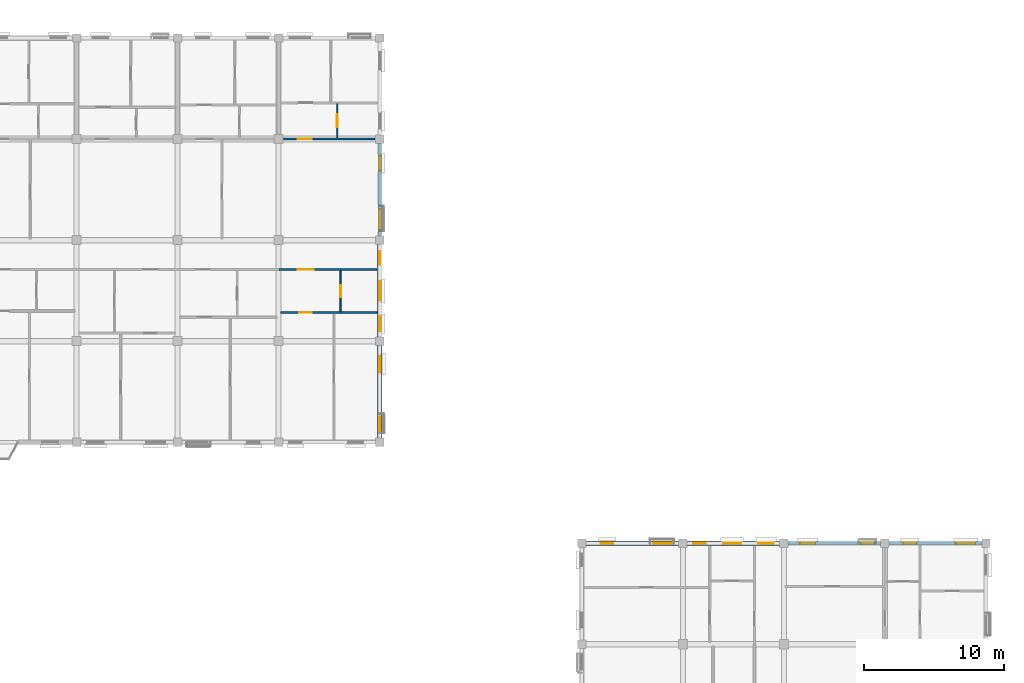
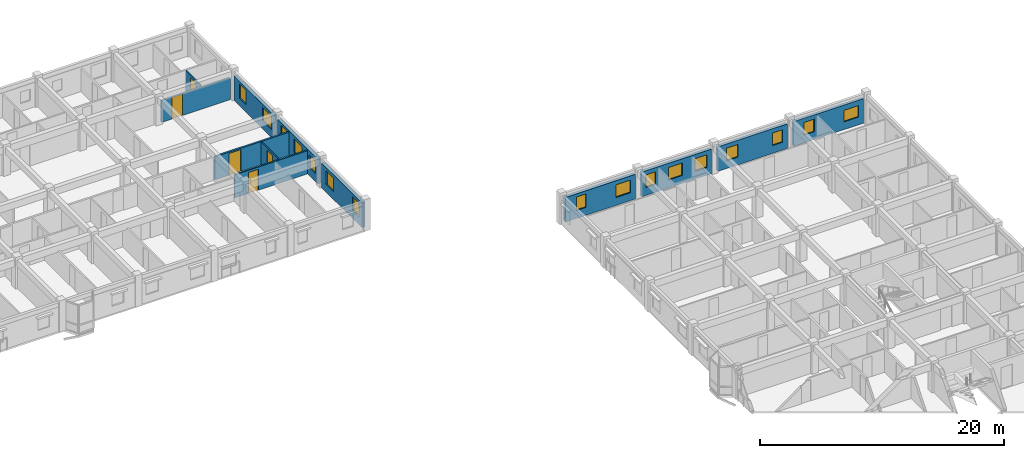
# One storey, part 112 of 124: 16 windows, 12 walls, 5 doors, 21 openings.
"""IFC4 building model written with IfcOpenShell, lengths in metres."""

import ifcopenshell
import ifcopenshell.guid

model = None  # the IFC model being written
_history = None  # IfcOwnerHistory: only IFC2X3 demands one
_inside = {}  # id of a spatial element -> (the spatial element, [elements in it])
_under = {}  # id of a project, library or spatial element -> (it, [spatial elements below it])
_declared = {}  # id of a project -> (the project, [libraries it declares])
_typed = {}  # id of a type object -> (the type object, [elements of that type])
_made_of = {}  # id of a material, layer set ... -> (it, [elements and type objects made of it])


def new_model(schema):
    """Start an empty IFC model of exactly this schema.

    Asked for "IFC4X3", IfcOpenShell would pick the latest addendum, in which some entities
    have other attributes; the version numbers below select the first issue.
    IFC2X3 requires an IfcOwnerHistory on every rooted entity: one is made here for all.
    """
    global model, _history
    if schema == "IFC4X3":
        model = ifcopenshell.file(schema_version=(4, 3, 0, 0))
    else:
        model = ifcopenshell.file(schema=schema)
    _inside.clear()
    _under.clear()
    _declared.clear()
    _typed.clear()
    _made_of.clear()
    _history = None
    if model.schema == "IFC2X3":
        org = make("IfcOrganization", Name="unknown")
        user = make(
            "IfcPersonAndOrganization",
            ThePerson=make("IfcPerson", FamilyName="unknown"),
            TheOrganization=org,
        )
        app = make(
            "IfcApplication",
            ApplicationDeveloper=org,
            Version="unknown",
            ApplicationFullName="unknown",
            ApplicationIdentifier="unknown",
        )
        _history = make(
            "IfcOwnerHistory",
            OwningUser=user,
            OwningApplication=app,
            ChangeAction="ADDED",
            CreationDate=0,
        )
    return model


def make(cls, **values):
    """One entity of the class cls with the attributes given. An attribute that is None is left unset."""
    return model.create_entity(
        cls, **{name: value for name, value in values.items() if value is not None}
    )


def rooted(cls, **values):
    """An entity with a GlobalId (a new one), such as an element, a storey or a relation."""
    return make(cls, GlobalId=ifcopenshell.guid.new(), OwnerHistory=_history, **values)


def si_unit(unit_type, name, prefix=None):
    """IfcSIUnit, for example si_unit("LENGTHUNIT", "METRE", prefix="MILLI")."""
    return make("IfcSIUnit", UnitType=unit_type, Prefix=prefix, Name=name)


def assignment(units):
    """IfcUnitAssignment: the units of a project."""
    return None if units is None else make("IfcUnitAssignment", Units=units)


def point(xyz):
    """IfcCartesianPoint."""
    return None if xyz is None else make("IfcCartesianPoint", Coordinates=xyz)


def direction(xyz):
    """IfcDirection."""
    return None if xyz is None else make("IfcDirection", DirectionRatios=xyz)


def frame(location, z_axis=None, x_axis=None):
    """IfcAxis2Placement3D, a coordinate frame: its origin and axes. An axis left out is left unset."""
    return make(
        "IfcAxis2Placement3D",
        Location=point(location),
        Axis=direction(z_axis),
        RefDirection=direction(x_axis),
    )


def frame_2d(location, x_axis=None):
    """IfcAxis2Placement2D, a coordinate frame in the plane: its origin and x axis."""
    return make(
        "IfcAxis2Placement2D", Location=point(location), RefDirection=direction(x_axis)
    )


def origin():
    """The frame at (0, 0, 0) with its axes left unset."""
    return frame((0.0, 0.0, 0.0))


def place(relative_to, where):
    """IfcLocalPlacement: puts the frame where relative to a parent placement (None: the world)."""
    return make(
        "IfcLocalPlacement", PlacementRelTo=relative_to, RelativePlacement=where
    )


def context(
    kind, dimensions, precision=None, world=None, true_north=None, identifier=None
):
    """IfcGeometricRepresentationContext, for example the 3D "Model" context."""
    return make(
        "IfcGeometricRepresentationContext",
        ContextIdentifier=identifier,
        ContextType=kind,
        CoordinateSpaceDimension=dimensions,
        Precision=precision,
        WorldCoordinateSystem=world,
        TrueNorth=true_north,
    )


def subcontext(parent, identifier, kind, view, scale=None):
    """IfcGeometricRepresentationSubContext, for example "Body" below "Model"."""
    return make(
        "IfcGeometricRepresentationSubContext",
        ContextIdentifier=identifier,
        ContextType=kind,
        ParentContext=parent,
        TargetScale=scale,
        TargetView=view,
    )


def project(units=None, contexts=None):
    """IfcProject with its units and contexts."""
    return rooted(
        "IfcProject",
        Name="project",
        RepresentationContexts=contexts,
        UnitsInContext=assignment(units),
    )


def spatial(cls, under=None, at=None, **own):
    """A site, building, storey or space (cls), placed at a placement, below another one or the project."""
    s = rooted(cls, ObjectPlacement=at, **own)
    if under is not None:
        _under.setdefault(under.id(), (under, []))[1].append(s)
    return s


def profile(cls, at=None, kind="AREA", **sizes):
    """A parametric profile (cls). Its sizes go by their IFC names, for example OverallWidth=200.0."""
    return make(cls, ProfileType=kind, Position=at, **sizes)


def rectangle(**sizes):
    """IfcRectangleProfileDef."""
    return profile("IfcRectangleProfileDef", **sizes)


def extrude(swept, where, along, depth):
    """IfcExtrudedAreaSolid: the profile swept, set in the frame where, extruded along a direction by depth."""
    return make(
        "IfcExtrudedAreaSolid",
        SweptArea=swept,
        Position=where,
        ExtrudedDirection=direction(along),
        Depth=depth,
    )


def shape(context_of_items, identifier, shape_type, items):
    """IfcShapeRepresentation: the items that make up one representation, for example the "Body"."""
    return make(
        "IfcShapeRepresentation",
        ContextOfItems=context_of_items,
        RepresentationIdentifier=identifier,
        RepresentationType=shape_type,
        Items=items,
    )


def material(Name=None, Category=None):
    """IfcMaterial."""
    return make("IfcMaterial", Name=Name, Category=Category)


def layer(
    of_material, thickness, ventilated=None, Name=None, Category=None, Priority=None
):
    """IfcMaterialLayer: one layer of a wall or slab, of a material (None: an air gap)."""
    return make(
        "IfcMaterialLayer",
        Material=of_material,
        LayerThickness=thickness,
        IsVentilated=ventilated,
        Name=Name,
        Category=Category,
        Priority=Priority,
    )


def layer_set(layers, Name=None):
    """IfcMaterialLayerSet."""
    return make("IfcMaterialLayerSet", MaterialLayers=layers, LayerSetName=Name)


def made_of(thing, what):
    """Note that an element or type object is made of a material, layer set ...; save() writes the relation."""
    if what is not None:
        _made_of.setdefault(what.id(), (what, []))[1].append(thing)
    return thing


def type_object(cls, material=None, **own):
    """A type object (cls), such as IfcWallType, which elements share."""
    return made_of(rooted(cls, **own), material)


def element(
    cls,
    number,
    at=None,
    inside=None,
    cuts=None,
    type_object=None,
    material=None,
    context=None,
    identifier="Body",
    shape_type=None,
    held_by="IfcProductDefinitionShape",
    body=None,
    shapes=None,
    **own,
):
    """One element of the class cls, such as IfcWall. Its Tag is "e" and its number.

    at: its placement. inside: the storey or other place that contains it. cuts: it is an
    opening in that element (IfcRelVoidsElement). A single representation is given by context,
    identifier, shape_type and body (its items); several are given by shapes. held_by: the class
    of the entity that holds the representations. save() writes the other relations.
    """
    e = rooted(cls, Tag="e%d" % number, ObjectPlacement=at, **own)
    if body is not None:
        shapes = [shape(context, identifier, shape_type, body)]
    if shapes is not None:
        e.Representation = make(held_by, Representations=shapes)
    if inside is not None:
        _inside.setdefault(inside.id(), (inside, []))[1].append(e)
    if cuts is not None:
        rooted(
            "IfcRelVoidsElement", RelatingBuildingElement=cuts, RelatedOpeningElement=e
        )
    if type_object is not None:
        _typed.setdefault(type_object.id(), (type_object, []))[1].append(e)
    return made_of(e, material)


def fill(opening, filler):
    """IfcRelFillsElement: the door or window that sits in an opening."""
    return rooted(
        "IfcRelFillsElement",
        RelatingOpeningElement=opening,
        RelatedBuildingElement=filler,
    )


def aggregate(whole, parts):
    """IfcRelAggregates: a whole, such as a stair, and the parts it consists of."""
    return rooted("IfcRelAggregates", RelatingObject=whole, RelatedObjects=parts)


def save(model, path):
    """Write the relations noted so far, then the file.

    IfcRelAggregates (storeys below a building ...), IfcRelContainedInSpatialStructure (elements
    in a storey), IfcRelDefinesByType, IfcRelAssociatesMaterial and IfcRelDeclares: one each for
    every whole, place, type object, material and project.
    """
    for whole, parts in _under.values():
        aggregate(whole, parts)
    for where, things in _inside.values():
        rooted(
            "IfcRelContainedInSpatialStructure",
            RelatedElements=things,
            RelatingStructure=where,
        )
    for kind, things in _typed.values():
        rooted("IfcRelDefinesByType", RelatedObjects=things, RelatingType=kind)
    for what, things in _made_of.values():
        rooted("IfcRelAssociatesMaterial", RelatedObjects=things, RelatingMaterial=what)
    for by, libraries in _declared.values():
        rooted("IfcRelDeclares", RelatingContext=by, RelatedDefinitions=libraries)
    model.write(path)


model = new_model("IFC4")

# Units and contexts
model_context = context("Model", 3, precision=1e-05, world=origin(), true_north=direction((0.0, 1.0)))
body_context = subcontext(model_context, "Body", "Model", "MODEL_VIEW")
ifc_project = project(units=[si_unit("LENGTHUNIT", "METRE"), si_unit("AREAUNIT", "SQUARE_METRE"), si_unit("VOLUMEUNIT", "CUBIC_METRE"), si_unit("PLANEANGLEUNIT", "RADIAN"), si_unit("MASSUNIT", "GRAM", prefix="KILO"), si_unit("THERMODYNAMICTEMPERATUREUNIT", "KELVIN"), si_unit("POWERUNIT", "WATT")], contexts=[model_context])

# Site, building, storey
site_placement = place(None, origin())
site = spatial("IfcSite", under=ifc_project, at=site_placement, CompositionType="ELEMENT")
building_placement = place(site_placement, origin())
building = spatial("IfcBuilding", under=site, at=building_placement, Name="Tavuni Mirador Residences", CompositionType="ELEMENT")
storey_placement = place(building_placement, frame((0.0, 0.0, 7.64990234375)))
storey = spatial("IfcBuildingStorey", under=building, at=storey_placement, Name="L02", CompositionType="ELEMENT", Elevation=7.64990234375)

# Wall, opening, door
ifc_material_1 = material(Name="Precast concrete C40/50", Category="concrete")
ifc_layer_1 = layer(ifc_material_1, 0.1650390625, Name="Precast concrete C40/50", Category="concrete")
ifc_layer_set_1 = layer_set([ifc_layer_1], Name="Precast concrete C40/50")
wall_type_1 = type_object("IfcWallType", Name="WT-CORR165", PredefinedType="PARTITIONING", material=ifc_layer_set_1)
wall_1_placement = place(storey_placement, frame((68.419921875, 156.300048828125, 0.0), z_axis=(0.0, 0.0, 1.0), x_axis=(1.0, 0.0, 0.0)))
wall_1 = element("IfcWall", 1, at=wall_1_placement, inside=storey, type_object=wall_type_1, Name="CORW-BLK-C-L02-0-08", PredefinedType="PARTITIONING", context=body_context, shape_type="SweptSolid", body=[
    extrude(rectangle(XDim=7.005126953125, YDim=0.1650390625, at=frame_2d((3.50244140625, 0.0))), origin(), (0.0, 0.0, 1.0), 2.320068359375),
])
opening_1_placement = place(wall_1_placement, frame((1.330078125, 0.0, 0.0)))
opening_1 = element("IfcOpeningElement", 2, at=opening_1_placement, cuts=wall_1, Name="Opening D-20", PredefinedType="OPENING", context=body_context, shape_type="SweptSolid", body=[
    extrude(rectangle(XDim=1.139892578125, YDim=2.179931640625, at=frame_2d((0.56982421875, 1.08984375))), frame((0.0, 0.092529296875, 0.0), z_axis=(0.0, -1.0, 0.0), x_axis=(1.0, 0.0, 0.0)), (0.0, 0.0, 1.0), 0.18505859375),
])
ifc_material_2 = material(Name="Solid core iroko timber", Category="wood")
door_type_1 = type_object("IfcDoorType", Name="DT-FD60-1140", OperationType="NOTDEFINED", PredefinedType="DOOR", material=ifc_material_2)
door_1_placement = place(opening_1_placement, origin())
door_1 = element("IfcDoor", 3, at=door_1_placement, inside=storey, type_object=door_type_1, Name="DR-2651", OperationType="SINGLE_SWING_RIGHT", OverallHeight=2.179931640625, OverallWidth=1.139892578125, PredefinedType="DOOR", context=body_context, shape_type="SweptSolid", body=[
    extrude(rectangle(XDim=1.139892578125, YDim=2.179931640625, at=frame_2d((0.56982421875, 1.08984375))), frame((0.0, 0.02490234375, 0.0), z_axis=(0.0, -1.0, 0.0), x_axis=(1.0, 0.0, 0.0)), (0.0, 0.0, 1.0), 0.050048828125),
])
fill(opening_1, door_1)

wall_2_placement = place(storey_placement, frame((68.75, 165.60009765625, 0.0), z_axis=(0.0, 0.0, 1.0), x_axis=(1.0, 0.0, 0.0)))
wall_2 = element("IfcWall", 4, at=wall_2_placement, inside=storey, type_object=wall_type_1, Name="CORW-BLK-C-L02-1-08", PredefinedType="PARTITIONING", context=body_context, shape_type="SweptSolid", body=[
    extrude(rectangle(XDim=6.5, YDim=0.1650390625, at=frame_2d((3.25, 0.0))), origin(), (0.0, 0.0, 1.0), 2.18505859375),
])
opening_2_placement = place(wall_2_placement, frame((1.0, 0.0, 0.0)))
opening_2 = element("IfcOpeningElement", 5, at=opening_2_placement, cuts=wall_2, Name="Opening D-03", PredefinedType="OPENING", context=body_context, shape_type="SweptSolid", body=[
    extrude(rectangle(XDim=1.0, YDim=2.14990234375, at=frame_2d((0.5, 1.074951171875))), frame((0.0, 0.092529296875, 0.0), z_axis=(0.0, -1.0, 0.0), x_axis=(1.0, 0.0, 0.0)), (0.0, 0.0, 1.0), 0.18505859375),
])
door_type_2 = type_object("IfcDoorType", Name="DT-FD60-1000", OperationType="NOTDEFINED", PredefinedType="DOOR", material=ifc_material_2)
door_2_placement = place(opening_2_placement, origin())
door_2 = element("IfcDoor", 6, at=door_2_placement, inside=storey, type_object=door_type_2, Name="DR-2658", OperationType="SINGLE_SWING_LEFT", OverallHeight=2.14990234375, OverallWidth=1.0, PredefinedType="DOOR", context=body_context, shape_type="SweptSolid", body=[
    extrude(rectangle(XDim=1.0, YDim=2.14990234375, at=frame_2d((0.5, 1.074951171875))), frame((0.0, 0.02490234375, 0.0), z_axis=(0.0, -1.0, 0.0), x_axis=(1.0, 0.0, 0.0)), (0.0, 0.0, 1.0), 0.050048828125),
])
fill(opening_2, door_2)

# Wall, openings, windows
ifc_material_3 = material(Name="Sgraffito lime-rendered precast concrete C40/50", Category="concrete")
ifc_layer_2 = layer(ifc_material_3, 0.2548828125, Name="Sgraffito lime-rendered precast concrete C40/50", Category="concrete")
ifc_layer_set_2 = layer_set([ifc_layer_2], Name="Sgraffito lime-rendered precast concrete C40/50")
wall_type_2 = type_object("IfcWallType", Name="WT-EXT-PC255", PredefinedType="SOLIDWALL", material=ifc_layer_set_2)
wall_3_placement = place(storey_placement, frame((118.5, 136.800048828125, 0.0), z_axis=(0.0, 0.0, 1.0), x_axis=(-1.0, 0.0, 0.0)))
wall_3 = element("IfcWall", 7, at=wall_3_placement, inside=storey, type_object=wall_type_2, Name="EW-BLK-D-L02-N03", PredefinedType="SOLIDWALL", context=body_context, shape_type="SweptSolid", body=[
    extrude(rectangle(XDim=6.60009765625, YDim=0.2548828125, at=frame_2d((3.300048828125, 0.0))), origin(), (0.0, 0.0, 1.0), 2.460205078125),
])
opening_3_placement = place(wall_3_placement, frame((0.449951171875, 0.0, 0.780029296875)))
opening_3 = element("IfcOpeningElement", 8, at=opening_3_placement, cuts=wall_3, Name="Opening WN-08", PredefinedType="OPENING", context=body_context, shape_type="SweptSolid", body=[
    extrude(rectangle(XDim=1.39990234375, YDim=1.14990234375, at=frame_2d((0.699951171875, 0.574951171875))), frame((0.0, 0.137451171875, 0.0), z_axis=(0.0, -1.0, 0.0), x_axis=(1.0, 0.0, 0.0)), (0.0, 0.0, 1.0), 0.27490234375),
])
opening_4_placement = place(wall_3_placement, frame((4.64990234375, 0.0, 0.780029296875)))
opening_4 = element("IfcOpeningElement", 9, at=opening_4_placement, cuts=wall_3, Name="Opening WN-10", PredefinedType="OPENING", context=body_context, shape_type="SweptSolid", body=[
    extrude(rectangle(XDim=0.9599609375, YDim=1.260009765625, at=frame_2d((0.47998046875, 0.6298828125))), frame((0.0, 0.137451171875, 0.0), z_axis=(0.0, -1.0, 0.0), x_axis=(1.0, 0.0, 0.0)), (0.0, 0.0, 1.0), 0.27490234375),
])
ifc_material_4 = material(Name="Laminated solar-control glass", Category="glass")
window_type_1 = type_object("IfcWindowType", Name="WNT-08", PartitioningType="SINGLE_PANEL", PredefinedType="WINDOW", material=ifc_material_4)
window_1_placement = place(opening_3_placement, origin())
window_1 = element("IfcWindow", 10, at=window_1_placement, inside=storey, type_object=window_type_1, Name="WIN-1505", OverallHeight=1.14990234375, OverallWidth=1.39990234375, PartitioningType="SINGLE_PANEL", PredefinedType="WINDOW", context=body_context, shape_type="SweptSolid", body=[
    extrude(rectangle(XDim=1.39990234375, YDim=1.14990234375, at=frame_2d((0.699951171875, 0.574951171875))), frame((0.0, 0.030029296875, 0.0), z_axis=(0.0, -1.0, 0.0), x_axis=(1.0, 0.0, 0.0)), (0.0, 0.0, 1.0), 0.06005859375),
])
fill(opening_3, window_1)
window_type_2 = type_object("IfcWindowType", Name="WNT-10", PartitioningType="SINGLE_PANEL", PredefinedType="WINDOW", material=ifc_material_4)
window_2_placement = place(opening_4_placement, origin())
window_2 = element("IfcWindow", 11, at=window_2_placement, inside=storey, type_object=window_type_2, Name="WIN-1506", OverallHeight=1.260009765625, OverallWidth=0.9599609375, PartitioningType="SINGLE_PANEL", PredefinedType="WINDOW", context=body_context, shape_type="SweptSolid", body=[
    extrude(rectangle(XDim=0.9599609375, YDim=1.260009765625, at=frame_2d((0.47998046875, 0.6298828125))), frame((0.0, 0.030029296875, 0.0), z_axis=(0.0, -1.0, 0.0), x_axis=(1.0, 0.0, 0.0)), (0.0, 0.0, 1.0), 0.06005859375),
])
fill(opening_4, window_2)

ifc_layer_3 = layer(ifc_material_3, 0.27490234375, Name="Sgraffito lime-rendered precast concrete C40/50", Category="concrete")
ifc_layer_set_3 = layer_set([ifc_layer_3], Name="Sgraffito lime-rendered precast concrete C40/50")
wall_type_3 = type_object("IfcWallType", Name="WT-EXT-PC275", PredefinedType="SOLIDWALL", material=ifc_layer_set_3)
wall_4_placement = place(storey_placement, frame((75.60009765625, 158.699951171875, 0.0), z_axis=(0.0, 0.0, 1.0), x_axis=(0.0, 1.0, 0.0)))
wall_4 = element("IfcWall", 12, at=wall_4_placement, inside=storey, type_object=wall_type_3, Name="EW-BLK-C-L02-E02", PredefinedType="SOLIDWALL", context=body_context, shape_type="SweptSolid", body=[
    extrude(rectangle(XDim=6.60009765625, YDim=0.27490234375, at=frame_2d((3.300048828125, 0.0))), origin(), (0.0, 0.0, 1.0), 2.455078125),
])
opening_5_placement = place(wall_4_placement, frame((0.449951171875, 0.0, 0.780029296875)))
opening_5 = element("IfcOpeningElement", 13, at=opening_5_placement, cuts=wall_4, Name="Opening WN-24", PredefinedType="OPENING", context=body_context, shape_type="SweptSolid", body=[
    extrude(rectangle(XDim=1.4599609375, YDim=1.360107421875, at=frame_2d((0.72998046875, 0.68017578125))), frame((0.0, 0.1474609375, 0.0), z_axis=(0.0, -1.0, 0.0), x_axis=(1.0, 0.0, 0.0)), (0.0, 0.0, 1.0), 0.294921875),
])
opening_6_placement = place(wall_4_placement, frame((4.64990234375, 0.0, 0.780029296875)))
opening_6 = element("IfcOpeningElement", 14, at=opening_6_placement, cuts=wall_4, Name="Opening WN-26", PredefinedType="OPENING", context=body_context, shape_type="SweptSolid", body=[
    extrude(rectangle(XDim=1.050048828125, YDim=1.43994140625, at=frame_2d((0.52490234375, 0.719970703125))), frame((0.0, 0.1474609375, 0.0), z_axis=(0.0, -1.0, 0.0), x_axis=(1.0, 0.0, 0.0)), (0.0, 0.0, 1.0), 0.294921875),
])
window_type_3 = type_object("IfcWindowType", Name="WNT-24", PartitioningType="SINGLE_PANEL", PredefinedType="WINDOW", material=ifc_material_4)
window_3_placement = place(opening_5_placement, origin())
window_3 = element("IfcWindow", 15, at=window_3_placement, inside=storey, type_object=window_type_3, Name="WIN-0921", OverallHeight=1.360107421875, OverallWidth=1.4599609375, PartitioningType="SINGLE_PANEL", PredefinedType="WINDOW", context=body_context, shape_type="SweptSolid", body=[
    extrude(rectangle(XDim=1.4599609375, YDim=1.360107421875, at=frame_2d((0.72998046875, 0.68017578125))), frame((0.0, 0.030029296875, 0.0), z_axis=(0.0, -1.0, 0.0), x_axis=(1.0, 0.0, 0.0)), (0.0, 0.0, 1.0), 0.06005859375),
])
fill(opening_5, window_3)
window_type_4 = type_object("IfcWindowType", Name="WNT-26", PartitioningType="SINGLE_PANEL", PredefinedType="WINDOW", material=ifc_material_4)
window_4_placement = place(opening_6_placement, origin())
window_4 = element("IfcWindow", 16, at=window_4_placement, inside=storey, type_object=window_type_4, Name="WIN-0922", OverallHeight=1.43994140625, OverallWidth=1.050048828125, PartitioningType="SINGLE_PANEL", PredefinedType="WINDOW", context=body_context, shape_type="SweptSolid", body=[
    extrude(rectangle(XDim=1.050048828125, YDim=1.43994140625, at=frame_2d((0.52490234375, 0.719970703125))), frame((0.0, 0.030029296875, 0.0), z_axis=(0.0, -1.0, 0.0), x_axis=(1.0, 0.0, 0.0)), (0.0, 0.0, 1.0), 0.06005859375),
])
fill(opening_6, window_4)

wall_5_placement = place(storey_placement, frame((111.300048828125, 136.800048828125, 0.0), z_axis=(0.0, 0.0, 1.0), x_axis=(-1.0, 0.0, 0.0)))
wall_5 = element("IfcWall", 17, at=wall_5_placement, inside=storey, type_object=wall_type_3, Name="EW-BLK-D-L02-N02", PredefinedType="SOLIDWALL", context=body_context, shape_type="SweptSolid", body=[
    extrude(rectangle(XDim=6.60009765625, YDim=0.27490234375, at=frame_2d((3.300048828125, 0.0))), origin(), (0.0, 0.0, 1.0), 2.460205078125),
])
opening_7_placement = place(wall_5_placement, frame((0.449951171875, 0.0, 0.780029296875)))
opening_7 = element("IfcOpeningElement", 18, at=opening_7_placement, cuts=wall_5, Name="Opening WN-10", PredefinedType="OPENING", context=body_context, shape_type="SweptSolid", body=[
    extrude(rectangle(XDim=0.9599609375, YDim=1.260009765625, at=frame_2d((0.47998046875, 0.6298828125))), frame((0.0, 0.1474609375, 0.0), z_axis=(0.0, -1.0, 0.0), x_axis=(1.0, 0.0, 0.0)), (0.0, 0.0, 1.0), 0.294921875),
])
opening_8_placement = place(wall_5_placement, frame((4.64990234375, 0.0, 0.780029296875)))
opening_8 = element("IfcOpeningElement", 19, at=opening_8_placement, cuts=wall_5, Name="Opening WN-12", PredefinedType="OPENING", context=body_context, shape_type="SweptSolid", body=[
    extrude(rectangle(XDim=1.1201171875, YDim=1.260009765625, at=frame_2d((0.56005859375, 0.6298828125))), frame((0.0, 0.1474609375, 0.0), z_axis=(0.0, -1.0, 0.0), x_axis=(1.0, 0.0, 0.0)), (0.0, 0.0, 1.0), 0.294921875),
])
window_5_placement = place(opening_7_placement, origin())
window_5 = element("IfcWindow", 20, at=window_5_placement, inside=storey, type_object=window_type_2, Name="WIN-1507", OverallHeight=1.260009765625, OverallWidth=0.9599609375, PartitioningType="SINGLE_PANEL", PredefinedType="WINDOW", context=body_context, shape_type="SweptSolid", body=[
    extrude(rectangle(XDim=0.9599609375, YDim=1.260009765625, at=frame_2d((0.47998046875, 0.6298828125))), frame((0.0, 0.030029296875, 0.0), z_axis=(0.0, -1.0, 0.0), x_axis=(1.0, 0.0, 0.0)), (0.0, 0.0, 1.0), 0.06005859375),
])
fill(opening_7, window_5)
window_type_5 = type_object("IfcWindowType", Name="WNT-12", PartitioningType="SINGLE_PANEL", PredefinedType="WINDOW", material=ifc_material_4)
window_6_placement = place(opening_8_placement, origin())
window_6 = element("IfcWindow", 21, at=window_6_placement, inside=storey, type_object=window_type_5, Name="WIN-1508", OverallHeight=1.260009765625, OverallWidth=1.1201171875, PartitioningType="SINGLE_PANEL", PredefinedType="WINDOW", context=body_context, shape_type="SweptSolid", body=[
    extrude(rectangle(XDim=1.1201171875, YDim=1.260009765625, at=frame_2d((0.56005859375, 0.6298828125))), frame((0.0, 0.030029296875, 0.0), z_axis=(0.0, -1.0, 0.0), x_axis=(1.0, 0.0, 0.0)), (0.0, 0.0, 1.0), 0.06005859375),
])
fill(opening_8, window_6)

ifc_layer_4 = layer(ifc_material_3, 0.2900390625, Name="Sgraffito lime-rendered precast concrete C40/50", Category="concrete")
ifc_layer_set_4 = layer_set([ifc_layer_4], Name="Sgraffito lime-rendered precast concrete C40/50")
wall_type_4 = type_object("IfcWallType", Name="WT-EXT-PC290", PredefinedType="SOLIDWALL", material=ifc_layer_set_4)
wall_6_placement = place(storey_placement, frame((75.60009765625, 151.5, 0.0), z_axis=(0.0, 0.0, 1.0), x_axis=(0.0, 1.0, 0.0)))
wall_6 = element("IfcWall", 22, at=wall_6_placement, inside=storey, type_object=wall_type_4, Name="EW-BLK-C-L02-E01", PredefinedType="SOLIDWALL", context=body_context, shape_type="SweptSolid", body=[
    extrude(rectangle(XDim=6.60009765625, YDim=0.2900390625, at=frame_2d((3.300048828125, 0.0))), origin(), (0.0, 0.0, 1.0), 2.455078125),
])
opening_9_placement = place(wall_6_placement, frame((0.419921875, 0.0, 0.780029296875)))
opening_9 = element("IfcOpeningElement", 23, at=opening_9_placement, cuts=wall_6, Name="Opening WN-11", PredefinedType="OPENING", context=body_context, shape_type="SweptSolid", body=[
    extrude(rectangle(XDim=1.0400390625, YDim=1.260009765625, at=frame_2d((0.52001953125, 0.6298828125))), frame((0.0, 0.155029296875, 0.0), z_axis=(0.0, -1.0, 0.0), x_axis=(1.0, 0.0, 0.0)), (0.0, 0.0, 1.0), 0.31005859375),
])
opening_10_placement = place(wall_6_placement, frame((2.580078125, 0.0, 0.780029296875)))
opening_10 = element("IfcOpeningElement", 24, at=opening_10_placement, cuts=wall_6, Name="Opening WN-23", PredefinedType="OPENING", context=body_context, shape_type="SweptSolid", body=[
    extrude(rectangle(XDim=1.3798828125, YDim=1.360107421875, at=frame_2d((0.68994140625, 0.68017578125))), frame((0.0, 0.155029296875, 0.0), z_axis=(0.0, -1.0, 0.0), x_axis=(1.0, 0.0, 0.0)), (0.0, 0.0, 1.0), 0.31005859375),
])
opening_11_placement = place(wall_6_placement, frame((5.159912109375, 0.0, 0.780029296875)))
opening_11 = element("IfcOpeningElement", 25, at=opening_11_placement, cuts=wall_6, Name="Opening WN-25", PredefinedType="OPENING", context=body_context, shape_type="SweptSolid", body=[
    extrude(rectangle(XDim=0.93994140625, YDim=1.43994140625, at=frame_2d((0.469970703125, 0.719970703125))), frame((0.0, 0.155029296875, 0.0), z_axis=(0.0, -1.0, 0.0), x_axis=(1.0, 0.0, 0.0)), (0.0, 0.0, 1.0), 0.31005859375),
])
window_type_6 = type_object("IfcWindowType", Name="WNT-11", PartitioningType="SINGLE_PANEL", PredefinedType="WINDOW", material=ifc_material_4)
window_7_placement = place(opening_9_placement, origin())
window_7 = element("IfcWindow", 26, at=window_7_placement, inside=storey, type_object=window_type_6, Name="WIN-0918", OverallHeight=1.260009765625, OverallWidth=1.0400390625, PartitioningType="SINGLE_PANEL", PredefinedType="WINDOW", context=body_context, shape_type="SweptSolid", body=[
    extrude(rectangle(XDim=1.0400390625, YDim=1.260009765625, at=frame_2d((0.52001953125, 0.6298828125))), frame((0.0, 0.030029296875, 0.0), z_axis=(0.0, -1.0, 0.0), x_axis=(1.0, 0.0, 0.0)), (0.0, 0.0, 1.0), 0.06005859375),
])
fill(opening_9, window_7)
window_type_7 = type_object("IfcWindowType", Name="WNT-23", PartitioningType="SINGLE_PANEL", PredefinedType="WINDOW", material=ifc_material_4)
window_8_placement = place(opening_10_placement, origin())
window_8 = element("IfcWindow", 27, at=window_8_placement, inside=storey, type_object=window_type_7, Name="WIN-0919", OverallHeight=1.360107421875, OverallWidth=1.3798828125, PartitioningType="SINGLE_PANEL", PredefinedType="WINDOW", context=body_context, shape_type="SweptSolid", body=[
    extrude(rectangle(XDim=1.3798828125, YDim=1.360107421875, at=frame_2d((0.68994140625, 0.68017578125))), frame((0.0, 0.030029296875, 0.0), z_axis=(0.0, -1.0, 0.0), x_axis=(1.0, 0.0, 0.0)), (0.0, 0.0, 1.0), 0.06005859375),
])
fill(opening_10, window_8)
window_type_8 = type_object("IfcWindowType", Name="WNT-25", PartitioningType="SINGLE_PANEL", PredefinedType="WINDOW", material=ifc_material_4)
window_9_placement = place(opening_11_placement, origin())
window_9 = element("IfcWindow", 28, at=window_9_placement, inside=storey, type_object=window_type_8, Name="WIN-0920", OverallHeight=1.43994140625, OverallWidth=0.93994140625, PartitioningType="SINGLE_PANEL", PredefinedType="WINDOW", context=body_context, shape_type="SweptSolid", body=[
    extrude(rectangle(XDim=0.93994140625, YDim=1.43994140625, at=frame_2d((0.469970703125, 0.719970703125))), frame((0.0, 0.030029296875, 0.0), z_axis=(0.0, -1.0, 0.0), x_axis=(1.0, 0.0, 0.0)), (0.0, 0.0, 1.0), 0.06005859375),
])
fill(opening_11, window_9)

wall_7_placement = place(storey_placement, frame((104.10009765625, 136.800048828125, 0.0), z_axis=(0.0, 0.0, 1.0), x_axis=(-1.0, 0.0, 0.0)))
wall_7 = element("IfcWall", 29, at=wall_7_placement, inside=storey, type_object=wall_type_4, Name="EW-BLK-D-L02-N01", PredefinedType="SOLIDWALL", context=body_context, shape_type="SweptSolid", body=[
    extrude(rectangle(XDim=6.60009765625, YDim=0.2900390625, at=frame_2d((3.300048828125, 0.0))), origin(), (0.0, 0.0, 1.0), 2.460205078125),
])
opening_12_placement = place(wall_7_placement, frame((0.409912109375, 0.0, 0.780029296875)))
opening_12 = element("IfcOpeningElement", 30, at=opening_12_placement, cuts=wall_7, Name="Opening WN-12", PredefinedType="OPENING", context=body_context, shape_type="SweptSolid", body=[
    extrude(rectangle(XDim=1.1201171875, YDim=1.260009765625, at=frame_2d((0.56005859375, 0.6298828125))), frame((0.0, 0.155029296875, 0.0), z_axis=(0.0, -1.0, 0.0), x_axis=(1.0, 0.0, 0.0)), (0.0, 0.0, 1.0), 0.31005859375),
])
opening_13_placement = place(wall_7_placement, frame((2.75, 0.0, 0.780029296875)))
opening_13 = element("IfcOpeningElement", 31, at=opening_13_placement, cuts=wall_7, Name="Opening WN-14", PredefinedType="OPENING", context=body_context, shape_type="SweptSolid", body=[
    extrude(rectangle(XDim=1.280029296875, YDim=1.260009765625, at=frame_2d((0.64013671875, 0.6298828125))), frame((0.0, 0.155029296875, 0.0), z_axis=(0.0, -1.0, 0.0), x_axis=(1.0, 0.0, 0.0)), (0.0, 0.0, 1.0), 0.31005859375),
])
opening_14_placement = place(wall_7_placement, frame((5.280029296875, 0.0, 0.780029296875)))
opening_14 = element("IfcOpeningElement", 32, at=opening_14_placement, cuts=wall_7, Name="Opening WN-09", PredefinedType="OPENING", context=body_context, shape_type="SweptSolid", body=[
    extrude(rectangle(XDim=0.8798828125, YDim=1.260009765625, at=frame_2d((0.43994140625, 0.6298828125))), frame((0.0, 0.155029296875, 0.0), z_axis=(0.0, -1.0, 0.0), x_axis=(1.0, 0.0, 0.0)), (0.0, 0.0, 1.0), 0.31005859375),
])
window_type_9 = type_object("IfcWindowType", Name="WNT-09", PartitioningType="SINGLE_PANEL", PredefinedType="WINDOW", material=ifc_material_4)
window_10_placement = place(opening_14_placement, origin())
window_10 = element("IfcWindow", 33, at=window_10_placement, inside=storey, type_object=window_type_9, Name="WIN-1511", OverallHeight=1.260009765625, OverallWidth=0.8798828125, PartitioningType="SINGLE_PANEL", PredefinedType="WINDOW", context=body_context, shape_type="SweptSolid", body=[
    extrude(rectangle(XDim=0.8798828125, YDim=1.260009765625, at=frame_2d((0.43994140625, 0.6298828125))), frame((0.0, 0.030029296875, 0.0), z_axis=(0.0, -1.0, 0.0), x_axis=(1.0, 0.0, 0.0)), (0.0, 0.0, 1.0), 0.06005859375),
])
fill(opening_14, window_10)
window_11_placement = place(opening_12_placement, origin())
window_11 = element("IfcWindow", 34, at=window_11_placement, inside=storey, type_object=window_type_5, Name="WIN-1509", OverallHeight=1.260009765625, OverallWidth=1.1201171875, PartitioningType="SINGLE_PANEL", PredefinedType="WINDOW", context=body_context, shape_type="SweptSolid", body=[
    extrude(rectangle(XDim=1.1201171875, YDim=1.260009765625, at=frame_2d((0.56005859375, 0.6298828125))), frame((0.0, 0.030029296875, 0.0), z_axis=(0.0, -1.0, 0.0), x_axis=(1.0, 0.0, 0.0)), (0.0, 0.0, 1.0), 0.06005859375),
])
fill(opening_12, window_11)
window_type_10 = type_object("IfcWindowType", Name="WNT-14", PartitioningType="SINGLE_PANEL", PredefinedType="WINDOW", material=ifc_material_4)
window_12_placement = place(opening_13_placement, origin())
window_12 = element("IfcWindow", 35, at=window_12_placement, inside=storey, type_object=window_type_10, Name="WIN-1510", OverallHeight=1.260009765625, OverallWidth=1.280029296875, PartitioningType="SINGLE_PANEL", PredefinedType="WINDOW", context=body_context, shape_type="SweptSolid", body=[
    extrude(rectangle(XDim=1.280029296875, YDim=1.260009765625, at=frame_2d((0.64013671875, 0.6298828125))), frame((0.0, 0.030029296875, 0.0), z_axis=(0.0, -1.0, 0.0), x_axis=(1.0, 0.0, 0.0)), (0.0, 0.0, 1.0), 0.06005859375),
])
fill(opening_13, window_12)

ifc_layer_5 = layer(ifc_material_3, 0.304931640625, Name="Sgraffito lime-rendered precast concrete C40/50", Category="concrete")
ifc_layer_set_5 = layer_set([ifc_layer_5], Name="Sgraffito lime-rendered precast concrete C40/50")
wall_type_5 = type_object("IfcWallType", Name="WT-EXT-PC305", PredefinedType="SOLIDWALL", material=ifc_layer_set_5)
wall_8_placement = place(storey_placement, frame((75.60009765625, 144.300048828125, 0.0), z_axis=(0.0, 0.0, 1.0), x_axis=(0.0, 1.0, 0.0)))
wall_8 = element("IfcWall", 36, at=wall_8_placement, inside=storey, type_object=wall_type_5, Name="EW-BLK-C-L02-E00", PredefinedType="SOLIDWALL", context=body_context, shape_type="SweptSolid", body=[
    extrude(rectangle(XDim=6.599853515625, YDim=0.304931640625, at=frame_2d((3.2998046875, 0.0))), origin(), (0.0, 0.0, 1.0), 2.455078125),
])
opening_15_placement = place(wall_8_placement, frame((0.449951171875, 0.0, 0.780029296875)))
opening_15 = element("IfcOpeningElement", 37, at=opening_15_placement, cuts=wall_8, Name="Opening WN-19", PredefinedType="OPENING", context=body_context, shape_type="SweptSolid", body=[
    extrude(rectangle(XDim=1.06005859375, YDim=1.360107421875, at=frame_2d((0.530029296875, 0.68017578125))), frame((0.0, 0.16259765625, 0.0), z_axis=(0.0, -1.0, 0.0), x_axis=(1.0, 0.0, 0.0)), (0.0, 0.0, 1.0), 0.324951171875),
])
opening_16_placement = place(wall_8_placement, frame((4.64990234375, 0.0, 0.780029296875)))
opening_16 = element("IfcOpeningElement", 38, at=opening_16_placement, cuts=wall_8, Name="Opening WN-21", PredefinedType="OPENING", context=body_context, shape_type="SweptSolid", body=[
    extrude(rectangle(XDim=1.219970703125, YDim=1.360107421875, at=frame_2d((0.60986328125, 0.68017578125))), frame((0.0, 0.16259765625, 0.0), z_axis=(0.0, -1.0, 0.0), x_axis=(1.0, 0.0, 0.0)), (0.0, 0.0, 1.0), 0.324951171875),
])
window_type_11 = type_object("IfcWindowType", Name="WNT-19", PartitioningType="SINGLE_PANEL", PredefinedType="WINDOW", material=ifc_material_4)
window_13_placement = place(opening_15_placement, origin())
window_13 = element("IfcWindow", 39, at=window_13_placement, inside=storey, type_object=window_type_11, Name="WIN-0916", OverallHeight=1.360107421875, OverallWidth=1.06005859375, PartitioningType="SINGLE_PANEL", PredefinedType="WINDOW", context=body_context, shape_type="SweptSolid", body=[
    extrude(rectangle(XDim=1.06005859375, YDim=1.360107421875, at=frame_2d((0.530029296875, 0.68017578125))), frame((0.0, 0.030029296875, 0.0), z_axis=(0.0, -1.0, 0.0), x_axis=(1.0, 0.0, 0.0)), (0.0, 0.0, 1.0), 0.06005859375),
])
fill(opening_15, window_13)
window_type_12 = type_object("IfcWindowType", Name="WNT-21", PartitioningType="SINGLE_PANEL", PredefinedType="WINDOW", material=ifc_material_4)
window_14_placement = place(opening_16_placement, origin())
window_14 = element("IfcWindow", 40, at=window_14_placement, inside=storey, type_object=window_type_12, Name="WIN-0917", OverallHeight=1.360107421875, OverallWidth=1.219970703125, PartitioningType="SINGLE_PANEL", PredefinedType="WINDOW", context=body_context, shape_type="SweptSolid", body=[
    extrude(rectangle(XDim=1.219970703125, YDim=1.360107421875, at=frame_2d((0.60986328125, 0.68017578125))), frame((0.0, 0.030029296875, 0.0), z_axis=(0.0, -1.0, 0.0), x_axis=(1.0, 0.0, 0.0)), (0.0, 0.0, 1.0), 0.06005859375),
])
fill(opening_16, window_14)

wall_9_placement = place(storey_placement, frame((96.89990234375, 136.800048828125, 0.0), z_axis=(0.0, 0.0, 1.0), x_axis=(-1.0, 0.0, 0.0)))
wall_9 = element("IfcWall", 41, at=wall_9_placement, inside=storey, type_object=wall_type_5, Name="EW-BLK-D-L02-N00", PredefinedType="SOLIDWALL", context=body_context, shape_type="SweptSolid", body=[
    extrude(rectangle(XDim=6.599853515625, YDim=0.304931640625, at=frame_2d((3.2998046875, 0.0))), origin(), (0.0, 0.0, 1.0), 2.460205078125),
])
opening_17_placement = place(wall_9_placement, frame((0.449951171875, 0.0, 0.780029296875)))
opening_17 = element("IfcOpeningElement", 42, at=opening_17_placement, cuts=wall_9, Name="Opening WN-15", PredefinedType="OPENING", context=body_context, shape_type="SweptSolid", body=[
    extrude(rectangle(XDim=1.360107421875, YDim=1.260009765625, at=frame_2d((0.68017578125, 0.6298828125))), frame((0.0, 0.16259765625, 0.0), z_axis=(0.0, -1.0, 0.0), x_axis=(1.0, 0.0, 0.0)), (0.0, 0.0, 1.0), 0.324951171875),
])
opening_18_placement = place(wall_9_placement, frame((4.64990234375, 0.0, 0.780029296875)))
opening_18 = element("IfcOpeningElement", 43, at=opening_18_placement, cuts=wall_9, Name="Opening WN-17", PredefinedType="OPENING", context=body_context, shape_type="SweptSolid", body=[
    extrude(rectangle(XDim=0.89990234375, YDim=1.360107421875, at=frame_2d((0.449951171875, 0.68017578125))), frame((0.0, 0.16259765625, 0.0), z_axis=(0.0, -1.0, 0.0), x_axis=(1.0, 0.0, 0.0)), (0.0, 0.0, 1.0), 0.324951171875),
])
window_type_13 = type_object("IfcWindowType", Name="WNT-15", PartitioningType="SINGLE_PANEL", PredefinedType="WINDOW", material=ifc_material_4)
window_15_placement = place(opening_17_placement, origin())
window_15 = element("IfcWindow", 44, at=window_15_placement, inside=storey, type_object=window_type_13, Name="WIN-1512", OverallHeight=1.260009765625, OverallWidth=1.360107421875, PartitioningType="SINGLE_PANEL", PredefinedType="WINDOW", context=body_context, shape_type="SweptSolid", body=[
    extrude(rectangle(XDim=1.360107421875, YDim=1.260009765625, at=frame_2d((0.68017578125, 0.6298828125))), frame((0.0, 0.030029296875, 0.0), z_axis=(0.0, -1.0, 0.0), x_axis=(1.0, 0.0, 0.0)), (0.0, 0.0, 1.0), 0.06005859375),
])
fill(opening_17, window_15)
window_type_14 = type_object("IfcWindowType", Name="WNT-17", PartitioningType="SINGLE_PANEL", PredefinedType="WINDOW", material=ifc_material_4)
window_16_placement = place(opening_18_placement, origin())
window_16 = element("IfcWindow", 45, at=window_16_placement, inside=storey, type_object=window_type_14, Name="WIN-1513", OverallHeight=1.360107421875, OverallWidth=0.89990234375, PartitioningType="SINGLE_PANEL", PredefinedType="WINDOW", context=body_context, shape_type="SweptSolid", body=[
    extrude(rectangle(XDim=0.89990234375, YDim=1.360107421875, at=frame_2d((0.449951171875, 0.68017578125))), frame((0.0, 0.030029296875, 0.0), z_axis=(0.0, -1.0, 0.0), x_axis=(1.0, 0.0, 0.0)), (0.0, 0.0, 1.0), 0.06005859375),
])
fill(opening_18, window_16)

# Wall, opening, door
ifc_material_5 = material(Name="Acoustic gypsum and concrete block partition", Category="concrete")
ifc_layer_6 = layer(ifc_material_5, 0.094970703125, Name="Acoustic gypsum and concrete block partition", Category="concrete")
ifc_layer_set_6 = layer_set([ifc_layer_6], Name="Acoustic gypsum and concrete block partition")
wall_type_6 = type_object("IfcWallType", Name="WT-PART095", PredefinedType="PARTITIONING", material=ifc_layer_set_6)
wall_10_placement = place(storey_placement, frame((72.580078125, 165.68994140625, 0.0), z_axis=(0.0, 0.0, 1.0), x_axis=(0.0, 1.0, 0.0)))
wall_10 = element("IfcWall", 46, at=wall_10_placement, inside=storey, type_object=wall_type_6, Name="PW-BLK-C-L02-N08-IN1", PredefinedType="PARTITIONING", context=body_context, shape_type="SweptSolid", body=[
    extrude(rectangle(XDim=2.420166015625, YDim=0.094970703125, at=frame_2d((1.2099609375, 0.0))), origin(), (0.0, 0.0, 1.0), 2.320068359375),
])
opening_19_placement = place(wall_10_placement, frame((0.760009765625, 0.0, 0.0)))
opening_19 = element("IfcOpeningElement", 47, at=opening_19_placement, cuts=wall_10, Name="Opening D-09", PredefinedType="OPENING", context=body_context, shape_type="SweptSolid", body=[
    extrude(rectangle(XDim=0.89990234375, YDim=2.050048828125, at=frame_2d((0.449951171875, 1.02490234375))), frame((0.0, 0.0576171875, 0.0), z_axis=(0.0, -1.0, 0.0), x_axis=(1.0, 0.0, 0.0)), (0.0, 0.0, 1.0), 0.114990234375),
])
door_type_3 = type_object("IfcDoorType", Name="DT-WC900", OperationType="NOTDEFINED", PredefinedType="DOOR", material=ifc_material_2)
door_3_placement = place(opening_19_placement, origin())
door_3 = element("IfcDoor", 48, at=door_3_placement, inside=storey, type_object=door_type_3, Name="DR-3793", OperationType="SINGLE_SWING_LEFT", OverallHeight=2.050048828125, OverallWidth=0.89990234375, PredefinedType="DOOR", context=body_context, shape_type="SweptSolid", body=[
    extrude(rectangle(XDim=0.89990234375, YDim=2.050048828125, at=frame_2d((0.449951171875, 1.02490234375))), frame((0.0, 0.02490234375, 0.0), z_axis=(0.0, -1.0, 0.0), x_axis=(1.0, 0.0, 0.0)), (0.0, 0.0, 1.0), 0.050048828125),
])
fill(opening_19, door_3)

ifc_layer_7 = layer(ifc_material_5, 0.10498046875, Name="Acoustic gypsum and concrete block partition", Category="concrete")
ifc_layer_set_7 = layer_set([ifc_layer_7], Name="Acoustic gypsum and concrete block partition")
wall_type_7 = type_object("IfcWallType", Name="WT-PART105", PredefinedType="PARTITIONING", material=ifc_layer_set_7)
wall_11_placement = place(storey_placement, frame((72.820068359375, 153.31005859375, 0.0), z_axis=(0.0, 0.0, 1.0), x_axis=(0.0, 1.0, 0.0)))
wall_11 = element("IfcWall", 49, at=wall_11_placement, inside=storey, type_object=wall_type_7, Name="PW-BLK-C-L02-S08-IN1", PredefinedType="PARTITIONING", context=body_context, shape_type="SweptSolid", body=[
    extrude(rectangle(XDim=2.89990234375, YDim=0.10498046875, at=frame_2d((1.449951171875, 0.0))), origin(), (0.0, 0.0, 1.0), 2.320068359375),
])
opening_20_placement = place(wall_11_placement, frame((1.014892578125, 0.0, 0.0)))
opening_20 = element("IfcOpeningElement", 50, at=opening_20_placement, cuts=wall_11, Name="Opening D-10", PredefinedType="OPENING", context=body_context, shape_type="SweptSolid", body=[
    extrude(rectangle(XDim=0.8701171875, YDim=2.050048828125, at=frame_2d((0.43505859375, 1.02490234375))), frame((0.0, 0.0625, 0.0), z_axis=(0.0, -1.0, 0.0), x_axis=(1.0, 0.0, 0.0)), (0.0, 0.0, 1.0), 0.125),
])
door_type_4 = type_object("IfcDoorType", Name="DT-WC870", OperationType="NOTDEFINED", PredefinedType="DOOR", material=ifc_material_2)
door_4_placement = place(opening_20_placement, origin())
door_4 = element("IfcDoor", 51, at=door_4_placement, inside=storey, type_object=door_type_4, Name="DR-3790", OperationType="SINGLE_SWING_RIGHT", OverallHeight=2.050048828125, OverallWidth=0.8701171875, PredefinedType="DOOR", context=body_context, shape_type="SweptSolid", body=[
    extrude(rectangle(XDim=0.8701171875, YDim=2.050048828125, at=frame_2d((0.43505859375, 1.02490234375))), frame((0.0, 0.02490234375, 0.0), z_axis=(0.0, -1.0, 0.0), x_axis=(1.0, 0.0, 0.0)), (0.0, 0.0, 1.0), 0.050048828125),
])
fill(opening_20, door_4)

ifc_layer_8 = layer(ifc_material_5, 0.139892578125, Name="Acoustic gypsum and concrete block partition", Category="concrete")
ifc_layer_set_8 = layer_set([ifc_layer_8], Name="Acoustic gypsum and concrete block partition")
wall_type_8 = type_object("IfcWallType", Name="WT-PART140", PredefinedType="PARTITIONING", material=ifc_layer_set_8)
wall_12_placement = place(storey_placement, frame((68.5400390625, 153.239990234375, 0.0), z_axis=(0.0, 0.0, 1.0), x_axis=(1.0, 0.0, 0.0)))
wall_12 = element("IfcWall", 52, at=wall_12_placement, inside=storey, type_object=wall_type_8, Name="PW-BLK-C-L02-S08-MID", PredefinedType="PARTITIONING", context=body_context, shape_type="SweptSolid", body=[
    extrude(rectangle(XDim=6.885009765625, YDim=0.139892578125, at=frame_2d((3.4423828125, 0.0))), origin(), (0.0, 0.0, 1.0), 2.320068359375),
])
opening_21_placement = place(wall_12_placement, frame((1.31005859375, 0.0, 0.0)))
opening_21 = element("IfcOpeningElement", 53, at=opening_21_placement, cuts=wall_12, Name="Opening D-06", PredefinedType="OPENING", context=body_context, shape_type="SweptSolid", body=[
    extrude(rectangle(XDim=0.919921875, YDim=2.10009765625, at=frame_2d((0.4599609375, 1.050048828125))), frame((0.0, 0.080078125, 0.0), z_axis=(0.0, -1.0, 0.0), x_axis=(1.0, 0.0, 0.0)), (0.0, 0.0, 1.0), 0.159912109375),
])
door_type_5 = type_object("IfcDoorType", Name="DT-INT920", OperationType="NOTDEFINED", PredefinedType="DOOR", material=ifc_material_2)
door_5_placement = place(opening_21_placement, origin())
door_5 = element("IfcDoor", 54, at=door_5_placement, inside=storey, type_object=door_type_5, Name="DR-3791", OperationType="SINGLE_SWING_RIGHT", OverallHeight=2.10009765625, OverallWidth=0.919921875, PredefinedType="DOOR", context=body_context, shape_type="SweptSolid", body=[
    extrude(rectangle(XDim=0.919921875, YDim=2.10009765625, at=frame_2d((0.4599609375, 1.050048828125))), frame((0.0, 0.02490234375, 0.0), z_axis=(0.0, -1.0, 0.0), x_axis=(1.0, 0.0, 0.0)), (0.0, 0.0, 1.0), 0.050048828125),
])
fill(opening_21, door_5)

save(model, "model.ifc")
